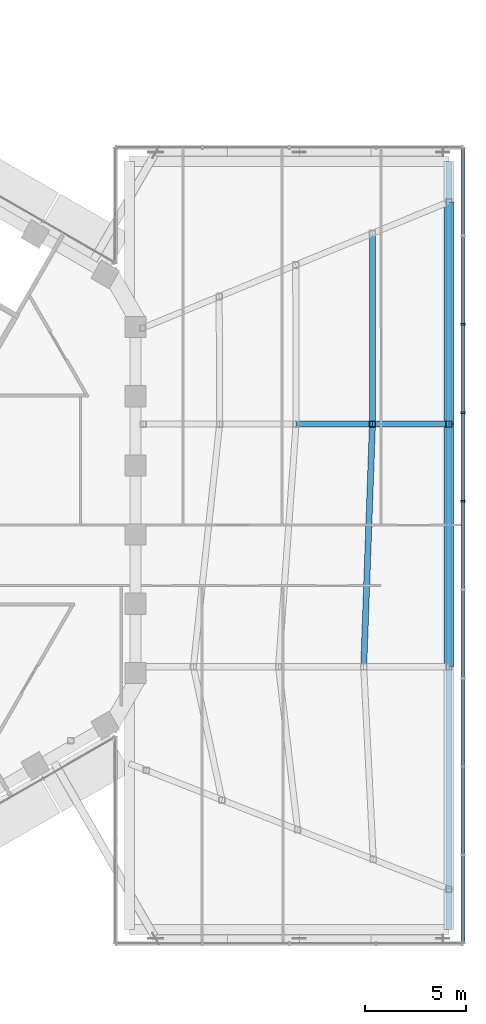
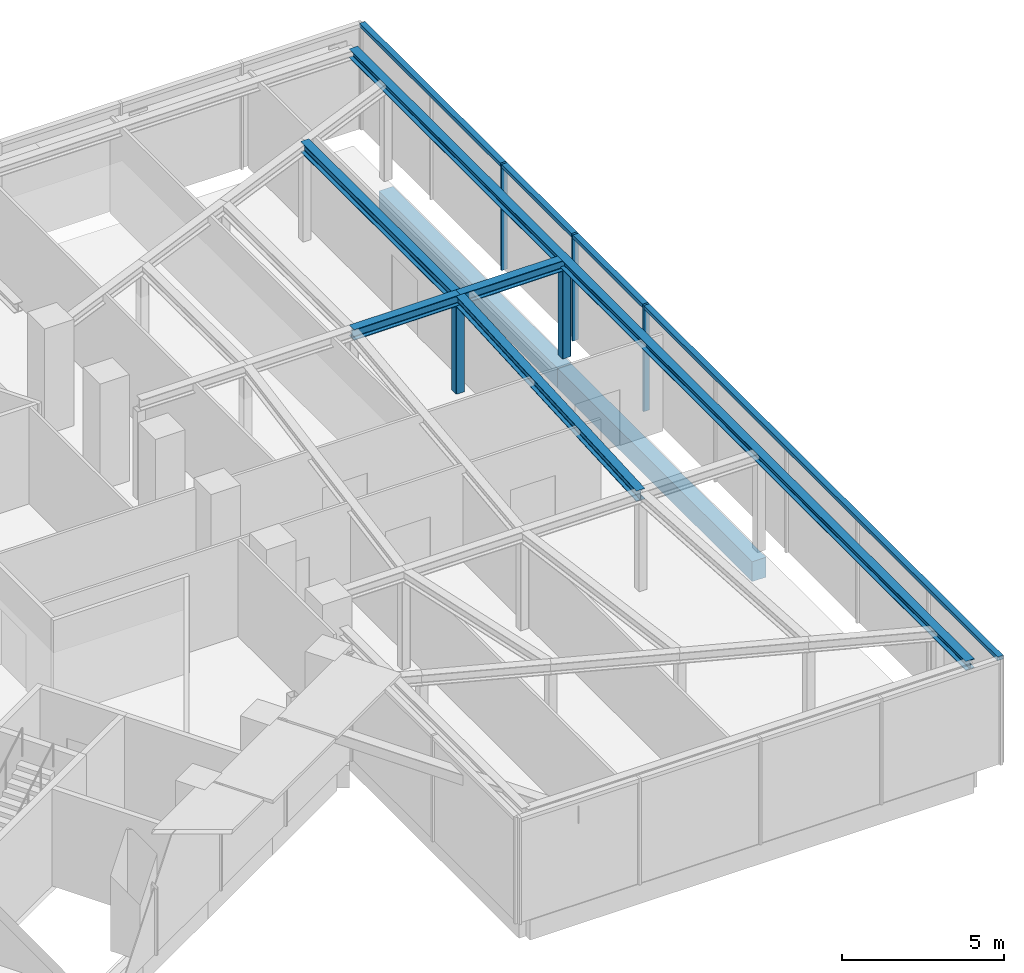
# One storey, part 5 of 24: 7 beams, 6 members, 1 element without a shape of its own.
"""IFC4 building model written with IfcOpenShell, lengths in metres."""

from ifc_helpers import new_model, si_unit, direction, frame, origin, origin_2d, place, context, subcontext, project, spatial, rectangle, hollow_rectangle, i_section, extrude, material, layer, layer_set, material_profile, profile_set, type_object, element, aggregate, save


model = new_model("IFC4")

# Units and contexts
model_context = context("Model", 3, precision=1e-05, world=origin(), true_north=direction((0.0, 1.0)))
body_context = subcontext(model_context, "Body", "Model", "MODEL_VIEW")
ifc_project = project(units=[si_unit("LENGTHUNIT", "METRE"), si_unit("AREAUNIT", "SQUARE_METRE"), si_unit("VOLUMEUNIT", "CUBIC_METRE"), si_unit("PLANEANGLEUNIT", "RADIAN"), si_unit("MASSUNIT", "GRAM", prefix="KILO")], contexts=[model_context])

# Site, building, storey
site_placement = place(None, origin())
site = spatial("IfcSite", under=ifc_project, at=site_placement, CompositionType="ELEMENT")
building_placement = place(site_placement, origin())
building = spatial("IfcBuilding", under=site, at=building_placement, Name="Ayvan Gate Tower", CompositionType="ELEMENT")
storey_placement = place(building_placement, frame((0.0, 0.0, 128.5)))
storey = spatial("IfcBuildingStorey", under=building, at=storey_placement, Name="L34", CompositionType="ELEMENT", Elevation=128.5)

# Beams
ifc_material_1 = material(Name="Concrete C40/50", Category="concrete")
ifc_material_profile_1 = material_profile(ifc_material_1, rectangle(XDim=0.5, YDim=0.75, at=origin_2d()), Name="RC 500x750")
ifc_profile_set_1 = profile_set([ifc_material_profile_1], Name="Concrete C40/50")
beam_type_1 = type_object("IfcBeamType", Name="Sky bar edge beam RC 500x750 C40/50", PredefinedType="BEAM", material=ifc_profile_set_1)
beam_1_placement = place(storey_placement, frame((34.985595703125, 14.75, -0.77490234375), z_axis=(0.0, -1.0, 0.0), x_axis=(1.0, 0.0, 0.0)))
element("IfcBeam", 1, at=beam_1_placement, inside=storey, type_object=beam_type_1, Name="EB-B2-L34-4", PredefinedType="BEAM", context=body_context, shape_type="SweptSolid", body=[
    extrude(rectangle(XDim=0.5, YDim=0.75, at=origin_2d()), origin(), (0.0, 0.0, 1.0), 11.0),
])
beam_2_placement = place(storey_placement, frame((34.985595703125, 3.75, -0.77490234375), z_axis=(0.0, -1.0, 0.0), x_axis=(1.0, 0.0, 0.0)))
element("IfcBeam", 2, at=beam_2_placement, inside=storey, type_object=beam_type_1, Name="EB-B2-L34-5", PredefinedType="BEAM", context=body_context, shape_type="SweptSolid", body=[
    extrude(rectangle(XDim=0.5, YDim=0.75, at=origin_2d()), origin(), (0.0, 0.0, 1.0), 12.0),
])
ifc_material_2 = material(Name="Steel S460ML", Category="steel")
ifc_material_profile_2 = material_profile(ifc_material_2, i_section(OverallWidth=0.300048828125, OverallDepth=0.39990234375, WebThickness=0.013427734375, FlangeThickness=0.02392578125, FilletRadius=0.027099609375, at=origin_2d()), Name="HE 400 B")
ifc_profile_set_2 = profile_set([ifc_material_profile_2], Name="Steel S460ML")
beam_type_2 = type_object("IfcBeamType", Name="Sky bar roof beam B2 HE 400 B", PredefinedType="BEAM", material=ifc_profile_set_2)
beam_3_placement = place(storey_placement, frame((27.423828125, 3.75, 3.5), z_axis=(1.0, 0.0, 0.0), x_axis=(0.0, 1.0, 0.0)))
element("IfcBeam", 3, at=beam_3_placement, inside=storey, type_object=beam_type_2, Name="RB-B2-SBT2-3-3", PredefinedType="BEAM", context=body_context, shape_type="SweptSolid", body=[
    extrude(i_section(OverallWidth=0.300048828125, OverallDepth=0.39990234375, WebThickness=0.013427734375, FlangeThickness=0.02392578125, FilletRadius=0.027099609375, at=origin_2d()), origin(), (0.0, 0.0, 1.0), 3.78076171875),
])
beam_4_placement = place(storey_placement, frame((31.20458984375, 3.75, 3.5), z_axis=(1.0, 0.0, 0.0), x_axis=(0.0, 1.0, 0.0)))
element("IfcBeam", 4, at=beam_4_placement, inside=storey, type_object=beam_type_2, Name="RB-B2-SBT2-3-4", PredefinedType="BEAM", context=body_context, shape_type="SweptSolid", body=[
    extrude(i_section(OverallWidth=0.300048828125, OverallDepth=0.39990234375, WebThickness=0.013427734375, FlangeThickness=0.02392578125, FilletRadius=0.027099609375, at=origin_2d()), origin(), (0.0, 0.0, 1.0), 3.781005859375),
])
beam_5_placement = place(storey_placement, frame((30.773193359375, -8.25, 3.5), z_axis=(0.035926499157, 0.999354434952, 0.0), x_axis=(-0.999354434952, 0.035926499157, 0.0)))
element("IfcBeam", 5, at=beam_5_placement, inside=storey, type_object=beam_type_2, Name="RX-B2-23-2", PredefinedType="BEAM", context=body_context, shape_type="SweptSolid", body=[
    extrude(i_section(OverallWidth=0.300048828125, OverallDepth=0.39990234375, WebThickness=0.013427734375, FlangeThickness=0.02392578125, FilletRadius=0.027099609375, at=origin_2d()), origin(), (0.0, 0.0, 1.0), 12.0078125),
])
beam_6_placement = place(storey_placement, frame((31.20458984375, 3.75, 3.5), z_axis=(-0.000801799913, 0.999999678558, 0.0), x_axis=(-0.999999678558, -0.000801799913, 0.0)))
element("IfcBeam", 6, at=beam_6_placement, inside=storey, type_object=beam_type_2, Name="RX-B2-34-2", PredefinedType="BEAM", context=body_context, shape_type="SweptSolid", body=[
    extrude(i_section(OverallWidth=0.300048828125, OverallDepth=0.39990234375, WebThickness=0.013427734375, FlangeThickness=0.02392578125, FilletRadius=0.027099609375, at=origin_2d()), origin(), (0.0, 0.0, 1.0), 9.439208984375),
])
ifc_material_profile_3 = material_profile(ifc_material_2, i_section(OverallWidth=0.300048828125, OverallDepth=0.340087890625, WebThickness=0.011962890625, FlangeThickness=0.021484375, FilletRadius=0.027099609375, at=origin_2d()), Name="HE 340 B")
ifc_profile_set_3 = profile_set([ifc_material_profile_3], Name="Steel S460ML")
beam_type_3 = type_object("IfcBeamType", Name="Sky bar roof edge beam B2 HE 340 B", PredefinedType="BEAM", material=ifc_profile_set_3)
beam_7_placement = place(storey_placement, frame((34.985595703125, 16.75, 3.530029296875), z_axis=(0.0, -1.0, 0.0), x_axis=(1.0, 0.0, 0.0)))
element("IfcBeam", 7, at=beam_7_placement, inside=storey, type_object=beam_type_3, Name="RE-B2-1-1", PredefinedType="BEAM", context=body_context, shape_type="SweptSolid", body=[
    extrude(i_section(OverallWidth=0.300048828125, OverallDepth=0.340087890625, WebThickness=0.011962890625, FlangeThickness=0.021484375, FilletRadius=0.027099609375, at=origin_2d()), origin(), (0.0, 0.0, 1.0), 38.0),
])

# Members
ifc_material_3 = material(Name="Steel S460NH", Category="steel")
ifc_material_profile_4 = material_profile(ifc_material_3, hollow_rectangle(XDim=0.300048828125, YDim=0.300048828125, WallThickness=0.012451171875, InnerFilletRadius=0.012451171875, OuterFilletRadius=0.018798828125, at=origin_2d()), Name="RHS 300x300x12.5")
ifc_profile_set_4 = profile_set([ifc_material_profile_4], Name="Steel S460NH")
member_type_1 = type_object("IfcMemberType", Name="Sky bar roof post B2 RHS 300x300x12.5", PredefinedType="POST", material=ifc_profile_set_4)
for number, where, z_axis, x_axis, name in (
    (8, (31.20458984375, 3.75, 0.0), (0.0, 0.0, 1.0), (1.0, 0.0, 0.0), "RP-B2-SBT2-3-4"),
    (9, (34.985595703125, 3.75, 0.0), (0.0, 0.0, 1.0), (1.0, 0.0, 0.0), "RP-B2-SBT2-3-5"),
):
    element("IfcMember", number, at=place(storey_placement, frame(where, z_axis=z_axis, x_axis=x_axis)), inside=storey, type_object=member_type_1, Name=name, PredefinedType="POST", context=body_context, shape_type="SweptSolid", body=[
        extrude(hollow_rectangle(XDim=0.300048828125, YDim=0.300048828125, WallThickness=0.012451171875, InnerFilletRadius=0.012451171875, OuterFilletRadius=0.018798828125, at=origin_2d()), origin(), (0.0, 0.0, 1.0), 3.300048828125),
    ])

# Curtain wall, members
ifc_material_4 = material(Name="Bronze anodised aluminium", Category="aluminium")
ifc_layer = layer(ifc_material_4, 0.199951171875)
ifc_layer_set = layer_set([ifc_layer], Name="Bronze anodised aluminium")
curtain_wall_type = type_object("IfcCurtainWallType", Name="Stick curtain wall CW-4", PredefinedType="NOTDEFINED", material=ifc_layer_set)
curtain_wall_placement = place(storey_placement, origin())
curtain_wall = element("IfcCurtainWall", 10, at=curtain_wall_placement, inside=storey, type_object=curtain_wall_type, Name="Stick curtain wall CW-4 L34", PredefinedType="NOTDEFINED")
ifc_material_profile_5 = material_profile(ifc_material_4, rectangle(XDim=0.199951171875, YDim=0.080078125, at=origin_2d()), Name="Stick curtain wall CW-4 mullion 200 x 80")
ifc_profile_set_5 = profile_set([ifc_material_profile_5], Name="Bronze anodised aluminium")
member_type_2 = type_object("IfcMemberType", Name="Stick curtain wall CW-4 mullion 200 x 80", PredefinedType="MULLION", material=ifc_profile_set_5)
member_1_placement = place(storey_placement, frame((35.685546875, -0.06103515625, 0.0), z_axis=(0.0, 0.0, 1.0), x_axis=(1.0, 0.0, 0.0)))
member_1 = element("IfcMember", 11, at=member_1_placement, type_object=member_type_2, Name="CW-4 mullion 6", PredefinedType="MULLION", context=body_context, shape_type="SweptSolid", body=[
    extrude(rectangle(XDim=0.199951171875, YDim=0.080078125, at=origin_2d()), origin(), (0.0, 0.0, 1.0), 4.0),
])
member_2_placement = place(storey_placement, frame((35.685546875, 4.316650390625, 0.0), z_axis=(0.0, 0.0, 1.0), x_axis=(1.0, 0.0, 0.0)))
member_2 = element("IfcMember", 12, at=member_2_placement, type_object=member_type_2, Name="CW-4 mullion 7", PredefinedType="MULLION", context=body_context, shape_type="SweptSolid", body=[
    extrude(rectangle(XDim=0.199951171875, YDim=0.080078125, at=origin_2d()), origin(), (0.0, 0.0, 1.0), 4.0),
])
member_3_placement = place(storey_placement, frame((35.685546875, 8.6943359375, 0.0), z_axis=(0.0, 0.0, 1.0), x_axis=(1.0, 0.0, 0.0)))
member_3 = element("IfcMember", 13, at=member_3_placement, type_object=member_type_2, Name="CW-4 mullion 8", PredefinedType="MULLION", context=body_context, shape_type="SweptSolid", body=[
    extrude(rectangle(XDim=0.199951171875, YDim=0.080078125, at=origin_2d()), origin(), (0.0, 0.0, 1.0), 4.0),
])
ifc_material_profile_6 = material_profile(ifc_material_4, rectangle(XDim=0.199951171875, YDim=0.139892578125, at=origin_2d()), Name="Stick curtain wall CW-4 transom 200 x 140")
ifc_profile_set_6 = profile_set([ifc_material_profile_6], Name="Bronze anodised aluminium")
member_type_3 = type_object("IfcMemberType", Name="Stick curtain wall CW-4 transom 200 x 140", PredefinedType="USERDEFINED", material=ifc_profile_set_6)
member_4_placement = place(storey_placement, frame((35.685546875, -21.909912109375, 3.929931640625), z_axis=(0.0, 1.0, 0.0), x_axis=(-1.0, 0.0, 0.0)))
member_4 = element("IfcMember", 14, at=member_4_placement, type_object=member_type_3, Name="CW-4 transom 1", ObjectType="TRANSOM", PredefinedType="USERDEFINED", context=body_context, shape_type="SweptSolid", body=[
    extrude(rectangle(XDim=0.199951171875, YDim=0.139892578125, at=origin_2d()), origin(), (0.0, 0.0, 1.0), 39.31982421875),
])
aggregate(curtain_wall, [member_1, member_2, member_3, member_4])

save(model, "model.ifc")
